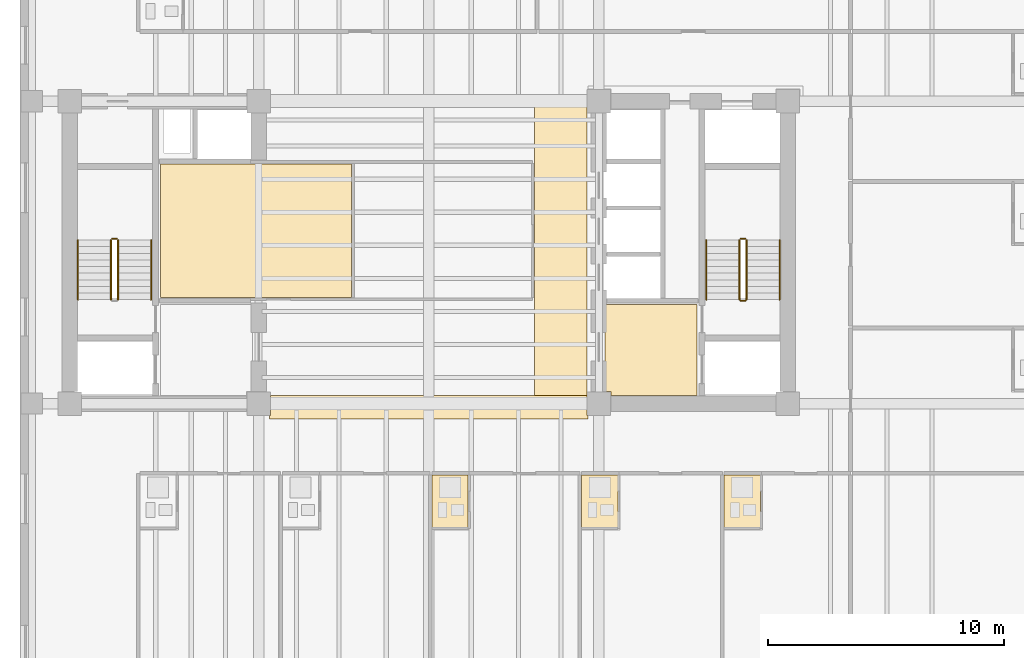
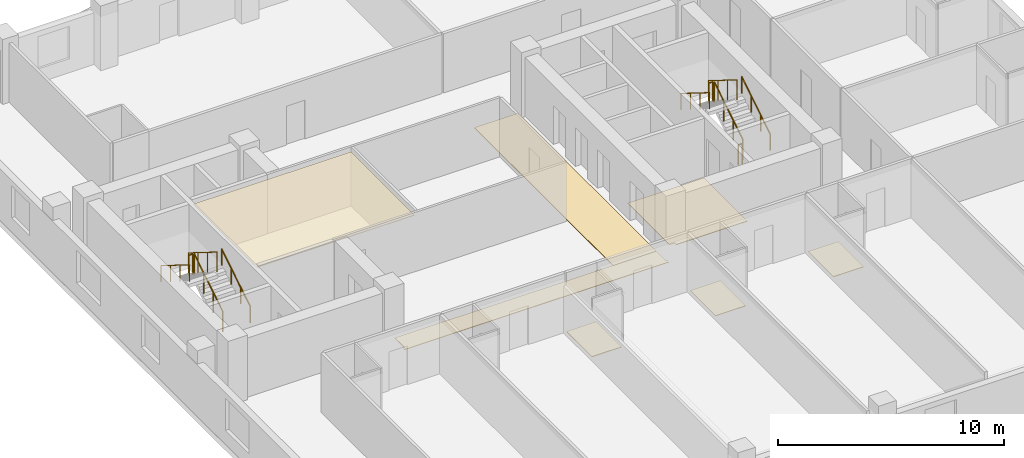
# One storey, part 8 of 10: 11 railings, 7 coverings.
"""IFC4 building model written with IfcOpenShell, lengths in metres."""

from ifc_helpers import new_model, si_unit, direction, frame, origin, origin_2d, place, context, subcontext, project, spatial, polyline, circle, outline, extrude, material, layer, layer_set, type_object, element, save


model = new_model("IFC4")

# Units and contexts
model_context = context("Model", 3, precision=1e-05, world=origin(), true_north=direction((0.0, 1.0)))
body_context = subcontext(model_context, "Body", "Model", "MODEL_VIEW")
ifc_project = project(units=[si_unit("LENGTHUNIT", "METRE"), si_unit("AREAUNIT", "SQUARE_METRE"), si_unit("VOLUMEUNIT", "CUBIC_METRE"), si_unit("PLANEANGLEUNIT", "RADIAN"), si_unit("MASSUNIT", "GRAM", prefix="KILO")], contexts=[model_context])

# Site, building, storey
site_placement = place(None, origin())
site = spatial("IfcSite", under=ifc_project, at=site_placement, CompositionType="ELEMENT")
building_placement = place(site_placement, origin())
building = spatial("IfcBuilding", under=site, at=building_placement, Name="Kranthara Brick Stack", CompositionType="ELEMENT")
storey_placement = place(building_placement, frame((0.0, 0.0, 155.300048828125)))
storey = spatial("IfcBuildingStorey", under=building, at=storey_placement, Name="L39", CompositionType="ELEMENT", Elevation=155.300048828125)

# Coverings
ifc_material_1 = material(Name="Perforated mineral-fibre acoustic ceiling tile", Category="other")
ifc_layer_1 = layer(ifc_material_1, 0.02490234375)
ifc_layer_set_1 = layer_set([ifc_layer_1], Name="Perforated mineral-fibre acoustic ceiling tile")
covering_type_1 = type_object("IfcCoveringType", Name="COV-CEIL-ACOUSTIC", PredefinedType="CEILING", material=ifc_layer_set_1)
covering_1_placement = place(storey_placement, frame((0.0, 0.0, 2.929931640625)))
element("IfcCovering", 1, at=covering_1_placement, inside=storey, type_object=covering_type_1, Name="L39 L39 Hotel Club Reading Lounge Acoustic Ceiling", PredefinedType="CEILING", context=body_context, shape_type="SweptSolid", body=[
    extrude(outline(polyline([(24.719970703125, 25.300048828125), (24.719970703125, 30.93994140625), (16.64990234375, 30.93994140625), (16.64990234375, 25.300048828125), (24.719970703125, 25.300048828125)])), origin(), (0.0, 0.0, 1.0), 0.02490234375),
])
ifc_material_2 = material(Name="Honed terrazzo and porcelain floor finish", Category="stone")
ifc_layer_2 = layer(ifc_material_2, 0.030029296875)
ifc_layer_set_2 = layer_set([ifc_layer_2], Name="Honed terrazzo and porcelain floor finish")
covering_type_2 = type_object("IfcCoveringType", Name="COV-FLOR-STONE", PredefinedType="FLOORING", material=ifc_layer_set_2)
covering_2_placement = place(storey_placement, origin())
element("IfcCovering", 2, at=covering_2_placement, inside=storey, type_object=covering_type_2, Name="L39 Lift Lobby Stone Flooring", PredefinedType="FLOORING", context=body_context, shape_type="SweptSolid", body=[
    extrude(outline(polyline([(35.449951171875, 25.0), (39.35009765625, 25.0), (39.35009765625, 21.14990234375), (35.7099609375, 21.14990234375), (35.7099609375, 21.31005859375), (35.449951171875, 21.31005859375), (35.449951171875, 25.0)])), origin(), (0.0, 0.0, 1.0), 0.030029296875),
])
covering_3_placement = place(storey_placement, origin())
element("IfcCovering", 3, at=covering_3_placement, inside=storey, type_object=covering_type_2, Name="L39 Lift Lobby Stone Flooring", PredefinedType="FLOORING", context=body_context, shape_type="SweptSolid", body=[
    extrude(outline(polyline([(32.47998046875, 33.449951171875), (34.68994140625, 33.449951171875), (34.68994140625, 33.090087890625), (34.699951171875, 33.090087890625), (34.699951171875, 21.31005859375), (34.68994140625, 21.31005859375), (34.68994140625, 21.14990234375), (32.47998046875, 21.14990234375), (32.47998046875, 33.449951171875)])), origin(), (0.0, 0.0, 1.0), 0.030029296875),
])
covering_4_placement = place(storey_placement, origin())
element("IfcCovering", 4, at=covering_4_placement, inside=storey, type_object=covering_type_2, Name="L39 Lift Lobby Stone Flooring", PredefinedType="FLOORING", context=body_context, shape_type="SweptSolid", body=[
    extrude(outline(polyline([(21.25, 20.2900390625), (21.31005859375, 20.2900390625), (21.31005859375, 21.14990234375), (32.47998046875, 21.14990234375), (34.68994140625, 21.14990234375), (34.68994140625, 20.2900390625), (34.75, 20.2900390625), (34.75, 20.14990234375), (21.25, 20.14990234375), (21.25, 20.2900390625)])), origin(), (0.0, 0.0, 1.0), 0.030029296875),
])
covering_5_placement = place(storey_placement, origin())
element("IfcCovering", 5, at=covering_5_placement, inside=storey, type_object=covering_type_2, Name="L39 Wet Room Porcelain Flooring", PredefinedType="FLOORING", context=body_context, shape_type="SweptSolid", body=[
    extrude(outline(polyline([(28.14111328125, 15.52001953125), (28.14111328125, 17.77001953125), (29.6708984375, 17.77001953125), (29.6708984375, 15.52001953125), (28.14111328125, 15.52001953125)])), origin(), (0.0, 0.0, 1.0), 0.030029296875),
])
covering_6_placement = place(storey_placement, origin())
element("IfcCovering", 6, at=covering_6_placement, inside=storey, type_object=covering_type_2, Name="L39 Wet Room Porcelain Flooring", PredefinedType="FLOORING", context=body_context, shape_type="SweptSolid", body=[
    extrude(outline(polyline([(34.472900390625, 15.52001953125), (34.472900390625, 17.77001953125), (36.0029296875, 17.77001953125), (36.0029296875, 15.52001953125), (34.472900390625, 15.52001953125)])), origin(), (0.0, 0.0, 1.0), 0.030029296875),
])
covering_7_placement = place(storey_placement, origin())
element("IfcCovering", 7, at=covering_7_placement, inside=storey, type_object=covering_type_2, Name="L39 Wet Room Porcelain Flooring", PredefinedType="FLOORING", context=body_context, shape_type="SweptSolid", body=[
    extrude(outline(polyline([(40.5029296875, 15.52001953125), (40.5029296875, 17.77001953125), (42.032958984375, 17.77001953125), (42.032958984375, 15.52001953125), (40.5029296875, 15.52001953125)])), origin(), (0.0, 0.0, 1.0), 0.030029296875),
])

# Railings
ifc_material_3 = material(Name="Painted galvanized steel stair guardrail", Category="steel")
railing_type_1 = type_object("IfcRailingType", Name="RL-STAIR-GUARD-1100", PredefinedType="GUARDRAIL", material=ifc_material_3)
railing_1_placement = place(storey_placement, frame((14.85009765625, 25.199951171875, 0.175048828125)))
element("IfcRailing", 8, at=railing_1_placement, inside=storey, type_object=railing_type_1, Name="L39 ST01 stair guard 1", PredefinedType="GUARDRAIL", context=body_context, shape_type="SweptSolid", body=[
    extrude(circle(Radius=0.02392578125, at=origin_2d()), frame((0.0, 0.0, 1.076171875), z_axis=(0.0, 0.848007534815, 0.529984170421), x_axis=(-1.0, 0.0, 0.0)), (0.0, 0.0, 1.0), 2.9716796875),
    extrude(circle(Radius=0.02099609375, at=origin_2d()), origin(), (0.0, 0.0, 1.0), 1.052001953125),
    extrude(circle(Radius=0.02099609375, at=origin_2d()), frame((0.0, 0.840087890625, 0.52490234375)), (0.0, 0.0, 1.0), 1.052001953125),
    extrude(circle(Radius=0.02099609375, at=origin_2d()), frame((0.0, 1.679931640625, 1.050048828125)), (0.0, 0.0, 1.0), 1.052001953125),
    extrude(circle(Radius=0.02099609375, at=origin_2d()), frame((0.0, 2.52001953125, 1.574951171875)), (0.0, 0.0, 1.0), 1.052001953125),
])
railing_2_placement = place(storey_placement, frame((14.800048828125, 27.77001953125, 1.75)))
element("IfcRailing", 9, at=railing_2_placement, inside=storey, type_object=railing_type_1, Name="L39 ST01 stair guard 2", PredefinedType="GUARDRAIL", context=body_context, shape_type="SweptSolid", body=[
    extrude(circle(Radius=0.02392578125, at=origin_2d()), frame((0.0, 0.0, 1.076171875), z_axis=(-1.0, 0.0, 0.0), x_axis=(0.0, -1.0, 0.0)), (0.0, 0.0, 1.0), 0.199951171875),
    extrude(circle(Radius=0.02099609375, at=origin_2d()), origin(), (0.0, 0.0, 1.0), 1.052001953125),
    extrude(circle(Radius=0.02099609375, at=origin_2d()), frame((-0.199951171875, 0.0, 0.0)), (0.0, 0.0, 1.0), 1.052001953125),
])
railing_3_placement = place(storey_placement, frame((14.550048828125, 27.719970703125, 1.925048828125)))
element("IfcRailing", 10, at=railing_3_placement, inside=storey, type_object=railing_type_1, Name="L39 ST01 stair guard 3", PredefinedType="GUARDRAIL", context=body_context, shape_type="SweptSolid", body=[
    extrude(circle(Radius=0.02392578125, at=origin_2d()), frame((0.0, 0.0, 1.076171875), z_axis=(0.0, -0.848007534815, 0.529984170421), x_axis=(1.0, 0.0, 0.0)), (0.0, 0.0, 1.0), 2.9716796875),
    extrude(circle(Radius=0.02099609375, at=origin_2d()), origin(), (0.0, 0.0, 1.0), 1.052001953125),
    extrude(circle(Radius=0.02099609375, at=origin_2d()), frame((0.0, -0.840087890625, 0.52490234375)), (0.0, 0.0, 1.0), 1.052001953125),
    extrude(circle(Radius=0.02099609375, at=origin_2d()), frame((0.0, -1.679931640625, 1.050048828125)), (0.0, 0.0, 1.0), 1.052001953125),
    extrude(circle(Radius=0.02099609375, at=origin_2d()), frame((0.0, -2.52001953125, 1.574951171875)), (0.0, 0.0, 1.0), 1.052001953125),
])
railing_4_placement = place(storey_placement, frame((41.449951171875, 25.199951171875, 0.175048828125)))
element("IfcRailing", 11, at=railing_4_placement, inside=storey, type_object=railing_type_1, Name="L39 ST02 stair guard 1", PredefinedType="GUARDRAIL", context=body_context, shape_type="SweptSolid", body=[
    extrude(circle(Radius=0.02392578125, at=origin_2d()), frame((0.0, 0.0, 1.076171875), z_axis=(0.0, 0.848007534815, 0.529984170421), x_axis=(-1.0, 0.0, 0.0)), (0.0, 0.0, 1.0), 2.9716796875),
    extrude(circle(Radius=0.02099609375, at=origin_2d()), origin(), (0.0, 0.0, 1.0), 1.052001953125),
    extrude(circle(Radius=0.02099609375, at=origin_2d()), frame((0.0, 0.840087890625, 0.52490234375)), (0.0, 0.0, 1.0), 1.052001953125),
    extrude(circle(Radius=0.02099609375, at=origin_2d()), frame((0.0, 1.679931640625, 1.050048828125)), (0.0, 0.0, 1.0), 1.052001953125),
    extrude(circle(Radius=0.02099609375, at=origin_2d()), frame((0.0, 2.52001953125, 1.574951171875)), (0.0, 0.0, 1.0), 1.052001953125),
])
railing_5_placement = place(storey_placement, frame((41.39990234375, 27.77001953125, 1.75)))
element("IfcRailing", 12, at=railing_5_placement, inside=storey, type_object=railing_type_1, Name="L39 ST02 stair guard 2", PredefinedType="GUARDRAIL", context=body_context, shape_type="SweptSolid", body=[
    extrude(circle(Radius=0.02392578125, at=origin_2d()), frame((0.0, 0.0, 1.076171875), z_axis=(-1.0, 0.0, 0.0), x_axis=(0.0, -1.0, 0.0)), (0.0, 0.0, 1.0), 0.199951171875),
    extrude(circle(Radius=0.02099609375, at=origin_2d()), origin(), (0.0, 0.0, 1.0), 1.052001953125),
    extrude(circle(Radius=0.02099609375, at=origin_2d()), frame((-0.199951171875, 0.0, 0.0)), (0.0, 0.0, 1.0), 1.052001953125),
])
railing_6_placement = place(storey_placement, frame((41.14990234375, 27.719970703125, 1.925048828125)))
element("IfcRailing", 13, at=railing_6_placement, inside=storey, type_object=railing_type_1, Name="L39 ST02 stair guard 3", PredefinedType="GUARDRAIL", context=body_context, shape_type="SweptSolid", body=[
    extrude(circle(Radius=0.02392578125, at=origin_2d()), frame((0.0, 0.0, 1.076171875), z_axis=(0.0, -0.848007534815, 0.529984170421), x_axis=(1.0, 0.0, 0.0)), (0.0, 0.0, 1.0), 2.9716796875),
    extrude(circle(Radius=0.02099609375, at=origin_2d()), origin(), (0.0, 0.0, 1.0), 1.052001953125),
    extrude(circle(Radius=0.02099609375, at=origin_2d()), frame((0.0, -0.840087890625, 0.52490234375)), (0.0, 0.0, 1.0), 1.052001953125),
    extrude(circle(Radius=0.02099609375, at=origin_2d()), frame((0.0, -1.679931640625, 1.050048828125)), (0.0, 0.0, 1.0), 1.052001953125),
    extrude(circle(Radius=0.02099609375, at=origin_2d()), frame((0.0, -2.52001953125, 1.574951171875)), (0.0, 0.0, 1.0), 1.052001953125),
])
railing_7_placement = place(storey_placement, frame((41.39990234375, 25.14990234375, 0.0)))
element("IfcRailing", 14, at=railing_7_placement, inside=storey, type_object=railing_type_1, Name="L39 ST02 stair guard 4", PredefinedType="GUARDRAIL", context=body_context, shape_type="SweptSolid", body=[
    extrude(circle(Radius=0.02392578125, at=origin_2d()), frame((0.0, 0.0, 1.076171875), z_axis=(-1.0, 0.0, 0.0), x_axis=(0.0, -1.0, 0.0)), (0.0, 0.0, 1.0), 0.199951171875),
    extrude(circle(Radius=0.02099609375, at=origin_2d()), origin(), (0.0, 0.0, 1.0), 1.052001953125),
    extrude(circle(Radius=0.02099609375, at=origin_2d()), frame((-0.199951171875, 0.0, 0.0)), (0.0, 0.0, 1.0), 1.052001953125),
])
ifc_material_4 = material(Name="Brushed stainless steel tubular handrail", Category="steel")
railing_type_2 = type_object("IfcRailingType", Name="RL-STAIR-HAND-900", PredefinedType="HANDRAIL", material=ifc_material_4)
railing_8_placement = place(storey_placement, frame((16.25, 25.199951171875, 0.175048828125)))
element("IfcRailing", 15, at=railing_8_placement, inside=storey, type_object=railing_type_2, Name="L39 ST01 stair handrail 1", PredefinedType="HANDRAIL", context=body_context, shape_type="SweptSolid", body=[
    extrude(circle(Radius=0.02392578125, at=origin_2d()), frame((0.0, 0.0, 0.8759765625), z_axis=(0.0, 0.848007534815, 0.529984170421), x_axis=(-1.0, 0.0, 0.0)), (0.0, 0.0, 1.0), 2.9716796875),
    extrude(circle(Radius=0.02099609375, at=origin_2d()), origin(), (0.0, 0.0, 1.0), 0.851806640625),
    extrude(circle(Radius=0.02099609375, at=origin_2d()), frame((0.0, 0.840087890625, 0.52490234375)), (0.0, 0.0, 1.0), 0.851806640625),
    extrude(circle(Radius=0.02099609375, at=origin_2d()), frame((0.0, 1.679931640625, 1.050048828125)), (0.0, 0.0, 1.0), 0.851806640625),
    extrude(circle(Radius=0.02099609375, at=origin_2d()), frame((0.0, 2.52001953125, 1.574951171875)), (0.0, 0.0, 1.0), 0.851806640625),
])
railing_9_placement = place(storey_placement, frame((13.14990234375, 27.719970703125, 1.925048828125)))
element("IfcRailing", 16, at=railing_9_placement, inside=storey, type_object=railing_type_2, Name="L39 ST01 stair handrail 2", PredefinedType="HANDRAIL", context=body_context, shape_type="SweptSolid", body=[
    extrude(circle(Radius=0.02392578125, at=origin_2d()), frame((0.0, 0.0, 0.8759765625), z_axis=(0.0, -0.848007534815, 0.529984170421), x_axis=(1.0, 0.0, 0.0)), (0.0, 0.0, 1.0), 2.9716796875),
    extrude(circle(Radius=0.02099609375, at=origin_2d()), origin(), (0.0, 0.0, 1.0), 0.851806640625),
    extrude(circle(Radius=0.02099609375, at=origin_2d()), frame((0.0, -0.840087890625, 0.52490234375)), (0.0, 0.0, 1.0), 0.851806640625),
    extrude(circle(Radius=0.02099609375, at=origin_2d()), frame((0.0, -1.679931640625, 1.050048828125)), (0.0, 0.0, 1.0), 0.851806640625),
    extrude(circle(Radius=0.02099609375, at=origin_2d()), frame((0.0, -2.52001953125, 1.574951171875)), (0.0, 0.0, 1.0), 0.851806640625),
])
railing_10_placement = place(storey_placement, frame((42.85009765625, 25.199951171875, 0.175048828125)))
element("IfcRailing", 17, at=railing_10_placement, inside=storey, type_object=railing_type_2, Name="L39 ST02 stair handrail 1", PredefinedType="HANDRAIL", context=body_context, shape_type="SweptSolid", body=[
    extrude(circle(Radius=0.02392578125, at=origin_2d()), frame((0.0, 0.0, 0.8759765625), z_axis=(0.0, 0.848007534815, 0.529984170421), x_axis=(-1.0, 0.0, 0.0)), (0.0, 0.0, 1.0), 2.9716796875),
    extrude(circle(Radius=0.02099609375, at=origin_2d()), origin(), (0.0, 0.0, 1.0), 0.851806640625),
    extrude(circle(Radius=0.02099609375, at=origin_2d()), frame((0.0, 0.840087890625, 0.52490234375)), (0.0, 0.0, 1.0), 0.851806640625),
    extrude(circle(Radius=0.02099609375, at=origin_2d()), frame((0.0, 1.679931640625, 1.050048828125)), (0.0, 0.0, 1.0), 0.851806640625),
    extrude(circle(Radius=0.02099609375, at=origin_2d()), frame((0.0, 2.52001953125, 1.574951171875)), (0.0, 0.0, 1.0), 0.851806640625),
])
railing_11_placement = place(storey_placement, frame((39.75, 27.719970703125, 1.925048828125)))
element("IfcRailing", 18, at=railing_11_placement, inside=storey, type_object=railing_type_2, Name="L39 ST02 stair handrail 2", PredefinedType="HANDRAIL", context=body_context, shape_type="SweptSolid", body=[
    extrude(circle(Radius=0.02392578125, at=origin_2d()), frame((0.0, 0.0, 0.8759765625), z_axis=(0.0, -0.848007534815, 0.529984170421), x_axis=(1.0, 0.0, 0.0)), (0.0, 0.0, 1.0), 2.9716796875),
    extrude(circle(Radius=0.02099609375, at=origin_2d()), origin(), (0.0, 0.0, 1.0), 0.851806640625),
    extrude(circle(Radius=0.02099609375, at=origin_2d()), frame((0.0, -0.840087890625, 0.52490234375)), (0.0, 0.0, 1.0), 0.851806640625),
    extrude(circle(Radius=0.02099609375, at=origin_2d()), frame((0.0, -1.679931640625, 1.050048828125)), (0.0, 0.0, 1.0), 0.851806640625),
    extrude(circle(Radius=0.02099609375, at=origin_2d()), frame((0.0, -2.52001953125, 1.574951171875)), (0.0, 0.0, 1.0), 0.851806640625),
])

save(model, "model.ifc")
